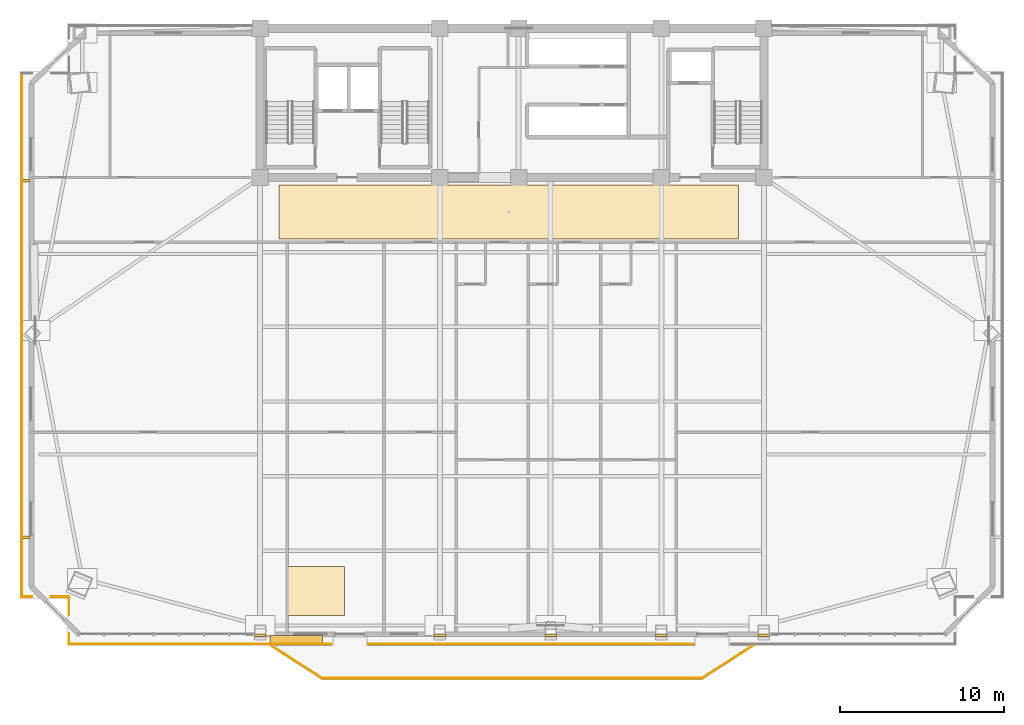
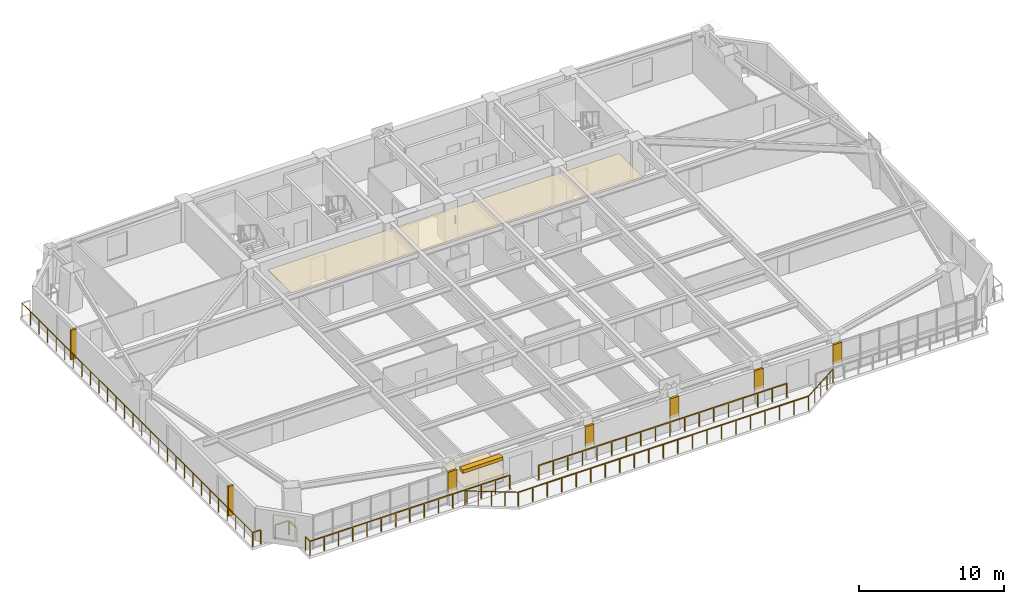
# One storey, part 12 of 15: 10 railings, 7 coverings, 3 shading devices.
"""IFC4 building model written with IfcOpenShell, lengths in metres."""

from ifc_helpers import new_model, si_unit, direction, frame, origin, origin_2d, place, context, subcontext, project, spatial, polyline, rectangle, outline, extrude, source, transform, mapped, material, layer, layer_set, type_object, element, save


model = new_model("IFC4")

# Units and contexts
model_context = context("Model", 3, precision=1e-05, world=origin(), true_north=direction((0.0, 1.0)))
body_context = subcontext(model_context, "Body", "Model", "MODEL_VIEW")
ifc_project = project(units=[si_unit("LENGTHUNIT", "METRE"), si_unit("AREAUNIT", "SQUARE_METRE"), si_unit("VOLUMEUNIT", "CUBIC_METRE"), si_unit("PLANEANGLEUNIT", "RADIAN"), si_unit("MASSUNIT", "GRAM", prefix="KILO")], contexts=[model_context])

# Site, building, storey
site_placement = place(None, origin())
site = spatial("IfcSite", under=ifc_project, at=site_placement, CompositionType="ELEMENT")
building_placement = place(site_placement, origin())
building = spatial("IfcBuilding", under=site, at=building_placement, Name="Giltprow Tower", CompositionType="ELEMENT")
storey_placement = place(building_placement, frame((0.0, 0.0, 177.199951171875)))
storey = spatial("IfcBuildingStorey", under=building, at=storey_placement, Name="L44", CompositionType="ELEMENT", Elevation=177.199951171875)

# Coverings
ifc_material_1 = material(Name="Painted gypsum board", Category="gypsum")
ifc_layer_1 = layer(ifc_material_1, 0.030029296875, Name="Painted gypsum board")
ifc_layer_set_1 = layer_set([ifc_layer_1], Name="Painted gypsum board")
covering_type_1 = type_object("IfcCoveringType", Name="COV-CLG-GYPSUM", PredefinedType="CEILING", material=ifc_layer_set_1)
covering_1_placement = place(storey_placement, frame((0.0, 0.0, 2.6201171875)))
element("IfcCovering", 1, at=covering_1_placement, inside=storey, type_object=covering_type_1, Name="L44 Hotel Corridor Gypsum Ceiling", PredefinedType="CEILING", context=body_context, shape_type="SweptSolid", body=[
    extrude(outline(polyline([(21.0, 33.699951171875), (49.0, 33.699951171875), (49.0, 37.0), (21.0, 37.0), (21.0, 33.699951171875)])), origin(), (0.0, 0.0, 1.0), 0.030029296875),
])
ifc_material_2 = material(Name="Engineered oak", Category="wood")
ifc_layer_2 = layer(ifc_material_2, 0.02490234375, Name="Engineered oak")
ifc_layer_set_2 = layer_set([ifc_layer_2], Name="Engineered oak")
covering_type_2 = type_object("IfcCoveringType", Name="COV-FLR-TIMBER", PredefinedType="FLOORING", material=ifc_layer_set_2)
covering_2_placement = place(storey_placement, origin())
element("IfcCovering", 2, at=covering_2_placement, inside=storey, type_object=covering_type_2, Name="L44 Engineered Oak Guestroom Flooring", PredefinedType="FLOORING", context=body_context, shape_type="SweptSolid", body=[
    extrude(outline(polyline([(21.5, 10.75390625), (25.0, 10.75390625), (25.0, 13.75390625), (21.5, 13.75390625), (21.5, 10.75390625)])), origin(), (0.0, 0.0, 1.0), 0.025146484375),
])
ifc_material_3 = material(Name="Anodized bronze", Category="metal")
ifc_layer_3 = layer(ifc_material_3, 0.0400390625, Name="Anodized bronze")
ifc_layer_set_3 = layer_set([ifc_layer_3], Name="Anodized bronze")
covering_type_3 = type_object("IfcCoveringType", Name="COV-SOFFIT-BRONZE", PredefinedType="CLADDING", material=ifc_layer_set_3)
covering_3_placement = place(storey_placement, frame((0.0, 0.0, 1.10009765625)))
element("IfcCovering", 3, at=covering_3_placement, inside=storey, type_object=covering_type_3, Name="L44 Setback Pier Closure Cladding S-1", PredefinedType="CLADDING", context=body_context, shape_type="SweptSolid", body=[
    extrude(outline(polyline([(19.5, 9.486083984375), (20.199951171875, 9.486083984375), (20.199951171875, 9.64599609375), (19.5, 9.64599609375), (19.5, 9.486083984375)])), origin(), (0.0, 0.0, 1.0), 1.64990234375),
])
covering_4_placement = place(storey_placement, frame((0.0, 0.0, 1.10009765625)))
element("IfcCovering", 4, at=covering_4_placement, inside=storey, type_object=covering_type_3, Name="L44 Setback Pier Closure Cladding S-2", PredefinedType="CLADDING", context=body_context, shape_type="SweptSolid", body=[
    extrude(outline(polyline([(30.449951171875, 9.486083984375), (31.14990234375, 9.486083984375), (31.14990234375, 9.64599609375), (30.449951171875, 9.64599609375), (30.449951171875, 9.486083984375)])), origin(), (0.0, 0.0, 1.0), 1.64990234375),
])
covering_5_placement = place(storey_placement, frame((0.0, 0.0, 1.10009765625)))
element("IfcCovering", 5, at=covering_5_placement, inside=storey, type_object=covering_type_3, Name="L44 Setback Pier Closure Cladding S-3", PredefinedType="CLADDING", context=body_context, shape_type="SweptSolid", body=[
    extrude(outline(polyline([(37.199951171875, 9.486083984375), (37.89990234375, 9.486083984375), (37.89990234375, 9.64599609375), (37.199951171875, 9.64599609375), (37.199951171875, 9.486083984375)])), origin(), (0.0, 0.0, 1.0), 1.64990234375),
])
covering_6_placement = place(storey_placement, frame((0.0, 0.0, 1.10009765625)))
element("IfcCovering", 6, at=covering_6_placement, inside=storey, type_object=covering_type_3, Name="L44 Setback Pier Closure Cladding S-4", PredefinedType="CLADDING", context=body_context, shape_type="SweptSolid", body=[
    extrude(outline(polyline([(43.949951171875, 9.486083984375), (44.64990234375, 9.486083984375), (44.64990234375, 9.64599609375), (43.949951171875, 9.64599609375), (43.949951171875, 9.486083984375)])), origin(), (0.0, 0.0, 1.0), 1.64990234375),
])
covering_7_placement = place(storey_placement, frame((0.0, 0.0, 1.10009765625)))
element("IfcCovering", 7, at=covering_7_placement, inside=storey, type_object=covering_type_3, Name="L44 Setback Pier Closure Cladding S-5", PredefinedType="CLADDING", context=body_context, shape_type="SweptSolid", body=[
    extrude(outline(polyline([(50.199951171875, 9.486083984375), (50.89990234375, 9.486083984375), (50.89990234375, 9.64599609375), (50.199951171875, 9.64599609375), (50.199951171875, 9.486083984375)])), origin(), (0.0, 0.0, 1.0), 1.64990234375),
])

# Railings
railing_type = type_object("IfcRailingType", Name="RAIL-BALC-GUARD-1200", PredefinedType="BALUSTRADE", material=ifc_material_3)
railing_1_placement = place(storey_placement, frame((20.52001953125, 8.926025390625, 0.0)))
element("IfcRailing", 8, at=railing_1_placement, inside=storey, type_object=railing_type, Name="L44 Waterfront Balcony Balustrade Seg 1", PredefinedType="BALUSTRADE", context=body_context, shape_type="SweptSolid", body=[
    extrude(rectangle(XDim=0.048095703125, YDim=0.048095703125, at=origin_2d()), frame((0.0, 0.0, 1.17578125), z_axis=(0.84277487735, -0.538266203757, 0.0), x_axis=(0.538266203757, 0.84277487735, 0.0)), (0.0, 0.0, 1.0), 3.678466796875),
    extrude(rectangle(XDim=0.0419921875, YDim=0.0419921875, at=origin_2d()), origin(), (0.0, 0.0, 1.0), 1.15185546875),
    extrude(rectangle(XDim=0.0419921875, YDim=0.0419921875, at=origin_2d()), frame((0.77490234375, -0.4951171875, 0.0)), (0.0, 0.0, 1.0), 1.15185546875),
    extrude(rectangle(XDim=0.0419921875, YDim=0.0419921875, at=origin_2d()), frame((1.550048828125, -0.989990234375, 0.0)), (0.0, 0.0, 1.0), 1.15185546875),
    extrude(rectangle(XDim=0.0419921875, YDim=0.0419921875, at=origin_2d()), frame((2.3251953125, -1.48486328125, 0.0)), (0.0, 0.0, 1.0), 1.15185546875),
    extrude(rectangle(XDim=0.0419921875, YDim=0.0419921875, at=origin_2d()), frame((3.10009765625, -1.97998046875, 0.0)), (0.0, 0.0, 1.0), 1.15185546875),
])
railing_2_placement = place(storey_placement, frame((23.6201171875, 6.946044921875, 0.0)))
element("IfcRailing", 9, at=railing_2_placement, inside=storey, type_object=railing_type, Name="L44 Waterfront Balcony Balustrade Seg 2", PredefinedType="BALUSTRADE", context=body_context, shape_type="SweptSolid", body=[
    extrude(rectangle(XDim=0.048095703125, YDim=0.048095703125, at=origin_2d()), frame((0.0, 0.0, 1.17578125), z_axis=(1.0, 0.0, 0.0), x_axis=(0.0, 1.0, 0.0)), (0.0, 0.0, 1.0), 23.159912109375),
    extrude(rectangle(XDim=0.0419921875, YDim=0.0419921875, at=origin_2d()), origin(), (0.0, 0.0, 1.0), 1.15185546875),
    extrude(rectangle(XDim=0.0419921875, YDim=0.0419921875, at=origin_2d()), frame((1.157958984375, 0.0, 0.0)), (0.0, 0.0, 1.0), 1.15185546875),
    extrude(rectangle(XDim=0.0419921875, YDim=0.0419921875, at=origin_2d()), frame((2.31591796875, 0.0, 0.0)), (0.0, 0.0, 1.0), 1.15185546875),
    extrude(rectangle(XDim=0.0419921875, YDim=0.0419921875, at=origin_2d()), frame((3.473876953125, 0.0, 0.0)), (0.0, 0.0, 1.0), 1.15185546875),
    extrude(rectangle(XDim=0.0419921875, YDim=0.0419921875, at=origin_2d()), frame((4.632080078125, 0.0, 0.0)), (0.0, 0.0, 1.0), 1.15185546875),
    extrude(rectangle(XDim=0.0419921875, YDim=0.0419921875, at=origin_2d()), frame((5.7900390625, 0.0, 0.0)), (0.0, 0.0, 1.0), 1.15185546875),
    extrude(rectangle(XDim=0.0419921875, YDim=0.0419921875, at=origin_2d()), frame((6.947998046875, 0.0, 0.0)), (0.0, 0.0, 1.0), 1.15185546875),
    extrude(rectangle(XDim=0.0419921875, YDim=0.0419921875, at=origin_2d()), frame((8.10595703125, 0.0, 0.0)), (0.0, 0.0, 1.0), 1.15185546875),
    extrude(rectangle(XDim=0.0419921875, YDim=0.0419921875, at=origin_2d()), frame((9.263916015625, 0.0, 0.0)), (0.0, 0.0, 1.0), 1.15185546875),
    extrude(rectangle(XDim=0.0419921875, YDim=0.0419921875, at=origin_2d()), frame((10.421875, 0.0, 0.0)), (0.0, 0.0, 1.0), 1.15185546875),
    extrude(rectangle(XDim=0.0419921875, YDim=0.0419921875, at=origin_2d()), frame((11.580078125, 0.0, 0.0)), (0.0, 0.0, 1.0), 1.15185546875),
    extrude(rectangle(XDim=0.0419921875, YDim=0.0419921875, at=origin_2d()), frame((12.738037109375, 0.0, 0.0)), (0.0, 0.0, 1.0), 1.15185546875),
    extrude(rectangle(XDim=0.0419921875, YDim=0.0419921875, at=origin_2d()), frame((13.89599609375, 0.0, 0.0)), (0.0, 0.0, 1.0), 1.15185546875),
    extrude(rectangle(XDim=0.0419921875, YDim=0.0419921875, at=origin_2d()), frame((15.053955078125, 0.0, 0.0)), (0.0, 0.0, 1.0), 1.15185546875),
    extrude(rectangle(XDim=0.0419921875, YDim=0.0419921875, at=origin_2d()), frame((16.2119140625, 0.0, 0.0)), (0.0, 0.0, 1.0), 1.15185546875),
    extrude(rectangle(XDim=0.0419921875, YDim=0.0419921875, at=origin_2d()), frame((17.369873046875, 0.0, 0.0)), (0.0, 0.0, 1.0), 1.15185546875),
    extrude(rectangle(XDim=0.0419921875, YDim=0.0419921875, at=origin_2d()), frame((18.52783203125, 0.0, 0.0)), (0.0, 0.0, 1.0), 1.15185546875),
    extrude(rectangle(XDim=0.0419921875, YDim=0.0419921875, at=origin_2d()), frame((19.68603515625, 0.0, 0.0)), (0.0, 0.0, 1.0), 1.15185546875),
    extrude(rectangle(XDim=0.0419921875, YDim=0.0419921875, at=origin_2d()), frame((20.843994140625, 0.0, 0.0)), (0.0, 0.0, 1.0), 1.15185546875),
    extrude(rectangle(XDim=0.0419921875, YDim=0.0419921875, at=origin_2d()), frame((22.001953125, 0.0, 0.0)), (0.0, 0.0, 1.0), 1.15185546875),
    extrude(rectangle(XDim=0.0419921875, YDim=0.0419921875, at=origin_2d()), frame((23.159912109375, 0.0, 0.0)), (0.0, 0.0, 1.0), 1.15185546875),
])
railing_3_placement = place(storey_placement, frame((46.780029296875, 6.946044921875, 0.0)))
element("IfcRailing", 10, at=railing_3_placement, inside=storey, type_object=railing_type, Name="L44 Waterfront Balcony Balustrade Seg 3", PredefinedType="BALUSTRADE", context=body_context, shape_type="SweptSolid", body=[
    extrude(rectangle(XDim=0.048095703125, YDim=0.048095703125, at=origin_2d()), frame((0.0, 0.0, 1.17578125), z_axis=(0.842755646126, 0.538296313309, 0.0), x_axis=(-0.538296313309, 0.842755646126, 0.0)), (0.0, 0.0, 1.0), 3.67822265625),
    extrude(rectangle(XDim=0.0419921875, YDim=0.0419921875, at=origin_2d()), origin(), (0.0, 0.0, 1.0), 1.15185546875),
    extrude(rectangle(XDim=0.0419921875, YDim=0.0419921875, at=origin_2d()), frame((0.77490234375, 0.4951171875, 0.0)), (0.0, 0.0, 1.0), 1.15185546875),
    extrude(rectangle(XDim=0.0419921875, YDim=0.0419921875, at=origin_2d()), frame((1.5498046875, 0.989990234375, 0.0)), (0.0, 0.0, 1.0), 1.15185546875),
    extrude(rectangle(XDim=0.0419921875, YDim=0.0419921875, at=origin_2d()), frame((2.324951171875, 1.48486328125, 0.0)), (0.0, 0.0, 1.0), 1.15185546875),
    extrude(rectangle(XDim=0.0419921875, YDim=0.0419921875, at=origin_2d()), frame((3.099853515625, 1.97998046875, 0.0)), (0.0, 0.0, 1.0), 1.15185546875),
])
railing_4_placement = place(storey_placement, frame((8.2060546875, 9.02587890625, 0.0)))
element("IfcRailing", 11, at=railing_4_placement, inside=storey, type_object=railing_type, Name="L44 Corner Apron Edge Balustrade 1", PredefinedType="BALUSTRADE", context=body_context, shape_type="SweptSolid", body=[
    extrude(rectangle(XDim=0.048095703125, YDim=0.048095703125, at=origin_2d()), frame((0.0, 0.0, 1.17578125), z_axis=(0.0, 1.0, 0.0), x_axis=(-1.0, 0.0, 0.0)), (0.0, 0.0, 1.0), 0.6201171875),
    extrude(rectangle(XDim=0.0419921875, YDim=0.0419921875, at=origin_2d()), origin(), (0.0, 0.0, 1.0), 1.15185546875),
    extrude(rectangle(XDim=0.0419921875, YDim=0.0419921875, at=origin_2d()), frame((0.0, 0.6201171875, 0.0)), (0.0, 0.0, 1.0), 1.15185546875),
])
railing_5_placement = place(storey_placement, frame((8.2060546875, 10.805908203125, 0.0)))
element("IfcRailing", 12, at=railing_5_placement, inside=storey, type_object=railing_type, Name="L44 Corner Apron Edge Balustrade 2", PredefinedType="BALUSTRADE", context=body_context, shape_type="SweptSolid", body=[
    extrude(rectangle(XDim=0.048095703125, YDim=0.048095703125, at=origin_2d()), frame((0.0, 0.0, 1.17578125), z_axis=(0.0, 1.0, 0.0), x_axis=(-1.0, 0.0, 0.0)), (0.0, 0.0, 1.0), 1.072021484375),
    extrude(rectangle(XDim=0.0419921875, YDim=0.0419921875, at=origin_2d()), origin(), (0.0, 0.0, 1.0), 1.15185546875),
    extrude(rectangle(XDim=0.0419921875, YDim=0.0419921875, at=origin_2d()), frame((0.0, 1.072021484375, 0.0)), (0.0, 0.0, 1.0), 1.15185546875),
])
railing_6_placement = place(storey_placement, frame((8.1708984375, 11.9130859375, 0.0)))
element("IfcRailing", 13, at=railing_6_placement, inside=storey, type_object=railing_type, Name="L44 Corner Apron Edge Balustrade 3", PredefinedType="BALUSTRADE", context=body_context, shape_type="SweptSolid", body=[
    extrude(rectangle(XDim=0.048095703125, YDim=0.048095703125, at=origin_2d()), frame((0.0, 0.0, 1.17578125), z_axis=(-1.0, 0.0, 0.0), x_axis=(0.0, -1.0, 0.0)), (0.0, 0.0, 1.0), 1.07177734375),
    extrude(rectangle(XDim=0.0419921875, YDim=0.0419921875, at=origin_2d()), origin(), (0.0, 0.0, 1.0), 1.15185546875),
    extrude(rectangle(XDim=0.0419921875, YDim=0.0419921875, at=origin_2d()), frame((-1.07177734375, 0.0, 0.0)), (0.0, 0.0, 1.0), 1.15185546875),
])
railing_7_placement = place(storey_placement, frame((5.93896484375, 11.9130859375, 0.0)))
element("IfcRailing", 14, at=railing_7_placement, inside=storey, type_object=railing_type, Name="L44 Corner Apron Edge Balustrade 4", PredefinedType="BALUSTRADE", context=body_context, shape_type="SweptSolid", body=[
    extrude(rectangle(XDim=0.048095703125, YDim=0.048095703125, at=origin_2d()), frame((0.0, 0.0, 1.17578125), z_axis=(-1.0, 0.0, 0.0), x_axis=(0.0, -1.0, 0.0)), (0.0, 0.0, 1.0), 0.619873046875),
    extrude(rectangle(XDim=0.0419921875, YDim=0.0419921875, at=origin_2d()), origin(), (0.0, 0.0, 1.0), 1.15185546875),
    extrude(rectangle(XDim=0.0419921875, YDim=0.0419921875, at=origin_2d()), frame((-0.619873046875, 0.0, 0.0)), (0.0, 0.0, 1.0), 1.15185546875),
])
railing_8_placement = place(storey_placement, frame((5.319091796875, 11.9130859375, 0.0)))
element("IfcRailing", 15, at=railing_8_placement, inside=storey, type_object=railing_type, Name="L44 Corner Apron Edge Balustrade 5", PredefinedType="BALUSTRADE", context=body_context, shape_type="SweptSolid", body=[
    extrude(rectangle(XDim=0.048095703125, YDim=0.048095703125, at=origin_2d()), frame((0.0, 0.0, 1.17578125), z_axis=(0.0, 1.0, 0.0), x_axis=(-1.0, 0.0, 0.0)), (0.0, 0.0, 1.0), 31.89990234375),
    extrude(rectangle(XDim=0.0419921875, YDim=0.0419921875, at=origin_2d()), origin(), (0.0, 0.0, 1.0), 1.15185546875),
    extrude(rectangle(XDim=0.0419921875, YDim=0.0419921875, at=origin_2d()), frame((0.0, 1.181396484375, 0.0)), (0.0, 0.0, 1.0), 1.15185546875),
    extrude(rectangle(XDim=0.0419921875, YDim=0.0419921875, at=origin_2d()), frame((0.0, 2.363037109375, 0.0)), (0.0, 0.0, 1.0), 1.15185546875),
    extrude(rectangle(XDim=0.0419921875, YDim=0.0419921875, at=origin_2d()), frame((0.0, 3.54443359375, 0.0)), (0.0, 0.0, 1.0), 1.15185546875),
    extrude(rectangle(XDim=0.0419921875, YDim=0.0419921875, at=origin_2d()), frame((0.0, 4.725830078125, 0.0)), (0.0, 0.0, 1.0), 1.15185546875),
    extrude(rectangle(XDim=0.0419921875, YDim=0.0419921875, at=origin_2d()), frame((0.0, 5.907470703125, 0.0)), (0.0, 0.0, 1.0), 1.15185546875),
    extrude(rectangle(XDim=0.0419921875, YDim=0.0419921875, at=origin_2d()), frame((0.0, 7.0888671875, 0.0)), (0.0, 0.0, 1.0), 1.15185546875),
    extrude(rectangle(XDim=0.0419921875, YDim=0.0419921875, at=origin_2d()), frame((0.0, 8.270263671875, 0.0)), (0.0, 0.0, 1.0), 1.15185546875),
    extrude(rectangle(XDim=0.0419921875, YDim=0.0419921875, at=origin_2d()), frame((0.0, 9.451904296875, 0.0)), (0.0, 0.0, 1.0), 1.15185546875),
    extrude(rectangle(XDim=0.0419921875, YDim=0.0419921875, at=origin_2d()), frame((0.0, 10.63330078125, 0.0)), (0.0, 0.0, 1.0), 1.15185546875),
    extrude(rectangle(XDim=0.0419921875, YDim=0.0419921875, at=origin_2d()), frame((0.0, 11.814697265625, 0.0)), (0.0, 0.0, 1.0), 1.15185546875),
    extrude(rectangle(XDim=0.0419921875, YDim=0.0419921875, at=origin_2d()), frame((0.0, 12.996337890625, 0.0)), (0.0, 0.0, 1.0), 1.15185546875),
    extrude(rectangle(XDim=0.0419921875, YDim=0.0419921875, at=origin_2d()), frame((0.0, 14.177734375, 0.0)), (0.0, 0.0, 1.0), 1.15185546875),
    extrude(rectangle(XDim=0.0419921875, YDim=0.0419921875, at=origin_2d()), frame((0.0, 15.359130859375, 0.0)), (0.0, 0.0, 1.0), 1.15185546875),
    extrude(rectangle(XDim=0.0419921875, YDim=0.0419921875, at=origin_2d()), frame((0.0, 16.540771484375, 0.0)), (0.0, 0.0, 1.0), 1.15185546875),
    extrude(rectangle(XDim=0.0419921875, YDim=0.0419921875, at=origin_2d()), frame((0.0, 17.72216796875, 0.0)), (0.0, 0.0, 1.0), 1.15185546875),
    extrude(rectangle(XDim=0.0419921875, YDim=0.0419921875, at=origin_2d()), frame((0.0, 18.903564453125, 0.0)), (0.0, 0.0, 1.0), 1.15185546875),
    extrude(rectangle(XDim=0.0419921875, YDim=0.0419921875, at=origin_2d()), frame((0.0, 20.085205078125, 0.0)), (0.0, 0.0, 1.0), 1.15185546875),
    extrude(rectangle(XDim=0.0419921875, YDim=0.0419921875, at=origin_2d()), frame((0.0, 21.2666015625, 0.0)), (0.0, 0.0, 1.0), 1.15185546875),
    extrude(rectangle(XDim=0.0419921875, YDim=0.0419921875, at=origin_2d()), frame((0.0, 22.447998046875, 0.0)), (0.0, 0.0, 1.0), 1.15185546875),
    extrude(rectangle(XDim=0.0419921875, YDim=0.0419921875, at=origin_2d()), frame((0.0, 23.629638671875, 0.0)), (0.0, 0.0, 1.0), 1.15185546875),
    extrude(rectangle(XDim=0.0419921875, YDim=0.0419921875, at=origin_2d()), frame((0.0, 24.81103515625, 0.0)), (0.0, 0.0, 1.0), 1.15185546875),
    extrude(rectangle(XDim=0.0419921875, YDim=0.0419921875, at=origin_2d()), frame((0.0, 25.992431640625, 0.0)), (0.0, 0.0, 1.0), 1.15185546875),
    extrude(rectangle(XDim=0.0419921875, YDim=0.0419921875, at=origin_2d()), frame((0.0, 27.174072265625, 0.0)), (0.0, 0.0, 1.0), 1.15185546875),
    extrude(rectangle(XDim=0.0419921875, YDim=0.0419921875, at=origin_2d()), frame((0.0, 28.35546875, 0.0)), (0.0, 0.0, 1.0), 1.15185546875),
    extrude(rectangle(XDim=0.0419921875, YDim=0.0419921875, at=origin_2d()), frame((0.0, 29.536865234375, 0.0)), (0.0, 0.0, 1.0), 1.15185546875),
    extrude(rectangle(XDim=0.0419921875, YDim=0.0419921875, at=origin_2d()), frame((0.0, 30.718505859375, 0.0)), (0.0, 0.0, 1.0), 1.15185546875),
    extrude(rectangle(XDim=0.0419921875, YDim=0.0419921875, at=origin_2d()), frame((0.0, 31.89990234375, 0.0)), (0.0, 0.0, 1.0), 1.15185546875),
])
railing_9_placement = place(storey_placement, frame((46.25, 9.02587890625, 0.0)))
element("IfcRailing", 16, at=railing_9_placement, inside=storey, type_object=railing_type, Name="L44 Corner Apron Edge Balustrade 24", PredefinedType="BALUSTRADE", context=body_context, shape_type="SweptSolid", body=[
    extrude(rectangle(XDim=0.048095703125, YDim=0.048095703125, at=origin_2d()), frame((0.0, 0.0, 1.17578125), z_axis=(-1.0, 0.0, 0.0), x_axis=(0.0, -1.0, 0.0)), (0.0, 0.0, 1.0), 19.800048828125),
    extrude(rectangle(XDim=0.0419921875, YDim=0.0419921875, at=origin_2d()), origin(), (0.0, 0.0, 1.0), 1.15185546875),
    extrude(rectangle(XDim=0.0419921875, YDim=0.0419921875, at=origin_2d()), frame((-1.164794921875, 0.0, 0.0)), (0.0, 0.0, 1.0), 1.15185546875),
    extrude(rectangle(XDim=0.0419921875, YDim=0.0419921875, at=origin_2d()), frame((-2.329345703125, 0.0, 0.0)), (0.0, 0.0, 1.0), 1.15185546875),
    extrude(rectangle(XDim=0.0419921875, YDim=0.0419921875, at=origin_2d()), frame((-3.494140625, 0.0, 0.0)), (0.0, 0.0, 1.0), 1.15185546875),
    extrude(rectangle(XDim=0.0419921875, YDim=0.0419921875, at=origin_2d()), frame((-4.658935546875, 0.0, 0.0)), (0.0, 0.0, 1.0), 1.15185546875),
    extrude(rectangle(XDim=0.0419921875, YDim=0.0419921875, at=origin_2d()), frame((-5.823486328125, 0.0, 0.0)), (0.0, 0.0, 1.0), 1.15185546875),
    extrude(rectangle(XDim=0.0419921875, YDim=0.0419921875, at=origin_2d()), frame((-6.98828125, 0.0, 0.0)), (0.0, 0.0, 1.0), 1.15185546875),
    extrude(rectangle(XDim=0.0419921875, YDim=0.0419921875, at=origin_2d()), frame((-8.153076171875, 0.0, 0.0)), (0.0, 0.0, 1.0), 1.15185546875),
    extrude(rectangle(XDim=0.0419921875, YDim=0.0419921875, at=origin_2d()), frame((-9.317626953125, 0.0, 0.0)), (0.0, 0.0, 1.0), 1.15185546875),
    extrude(rectangle(XDim=0.0419921875, YDim=0.0419921875, at=origin_2d()), frame((-10.482421875, 0.0, 0.0)), (0.0, 0.0, 1.0), 1.15185546875),
    extrude(rectangle(XDim=0.0419921875, YDim=0.0419921875, at=origin_2d()), frame((-11.64697265625, 0.0, 0.0)), (0.0, 0.0, 1.0), 1.15185546875),
    extrude(rectangle(XDim=0.0419921875, YDim=0.0419921875, at=origin_2d()), frame((-12.811767578125, 0.0, 0.0)), (0.0, 0.0, 1.0), 1.15185546875),
    extrude(rectangle(XDim=0.0419921875, YDim=0.0419921875, at=origin_2d()), frame((-13.9765625, 0.0, 0.0)), (0.0, 0.0, 1.0), 1.15185546875),
    extrude(rectangle(XDim=0.0419921875, YDim=0.0419921875, at=origin_2d()), frame((-15.14111328125, 0.0, 0.0)), (0.0, 0.0, 1.0), 1.15185546875),
    extrude(rectangle(XDim=0.0419921875, YDim=0.0419921875, at=origin_2d()), frame((-16.305908203125, 0.0, 0.0)), (0.0, 0.0, 1.0), 1.15185546875),
    extrude(rectangle(XDim=0.0419921875, YDim=0.0419921875, at=origin_2d()), frame((-17.470703125, 0.0, 0.0)), (0.0, 0.0, 1.0), 1.15185546875),
    extrude(rectangle(XDim=0.0419921875, YDim=0.0419921875, at=origin_2d()), frame((-18.63525390625, 0.0, 0.0)), (0.0, 0.0, 1.0), 1.15185546875),
    extrude(rectangle(XDim=0.0419921875, YDim=0.0419921875, at=origin_2d()), frame((-19.800048828125, 0.0, 0.0)), (0.0, 0.0, 1.0), 1.15185546875),
])
railing_10_placement = place(storey_placement, frame((24.14990234375, 9.02587890625, 0.0)))
element("IfcRailing", 17, at=railing_10_placement, inside=storey, type_object=railing_type, Name="L44 Corner Apron Edge Balustrade 25", PredefinedType="BALUSTRADE", context=body_context, shape_type="SweptSolid", body=[
    extrude(rectangle(XDim=0.048095703125, YDim=0.048095703125, at=origin_2d()), frame((0.0, 0.0, 1.17578125), z_axis=(-1.0, 0.0, 0.0), x_axis=(0.0, -1.0, 0.0)), (0.0, 0.0, 1.0), 15.94384765625),
    extrude(rectangle(XDim=0.0419921875, YDim=0.0419921875, at=origin_2d()), origin(), (0.0, 0.0, 1.0), 1.15185546875),
    extrude(rectangle(XDim=0.0419921875, YDim=0.0419921875, at=origin_2d()), frame((-1.138916015625, 0.0, 0.0)), (0.0, 0.0, 1.0), 1.15185546875),
    extrude(rectangle(XDim=0.0419921875, YDim=0.0419921875, at=origin_2d()), frame((-2.277587890625, 0.0, 0.0)), (0.0, 0.0, 1.0), 1.15185546875),
    extrude(rectangle(XDim=0.0419921875, YDim=0.0419921875, at=origin_2d()), frame((-3.41650390625, 0.0, 0.0)), (0.0, 0.0, 1.0), 1.15185546875),
    extrude(rectangle(XDim=0.0419921875, YDim=0.0419921875, at=origin_2d()), frame((-4.555419921875, 0.0, 0.0)), (0.0, 0.0, 1.0), 1.15185546875),
    extrude(rectangle(XDim=0.0419921875, YDim=0.0419921875, at=origin_2d()), frame((-5.6943359375, 0.0, 0.0)), (0.0, 0.0, 1.0), 1.15185546875),
    extrude(rectangle(XDim=0.0419921875, YDim=0.0419921875, at=origin_2d()), frame((-6.8330078125, 0.0, 0.0)), (0.0, 0.0, 1.0), 1.15185546875),
    extrude(rectangle(XDim=0.0419921875, YDim=0.0419921875, at=origin_2d()), frame((-7.971923828125, 0.0, 0.0)), (0.0, 0.0, 1.0), 1.15185546875),
    extrude(rectangle(XDim=0.0419921875, YDim=0.0419921875, at=origin_2d()), frame((-9.11083984375, 0.0, 0.0)), (0.0, 0.0, 1.0), 1.15185546875),
    extrude(rectangle(XDim=0.0419921875, YDim=0.0419921875, at=origin_2d()), frame((-10.24951171875, 0.0, 0.0)), (0.0, 0.0, 1.0), 1.15185546875),
    extrude(rectangle(XDim=0.0419921875, YDim=0.0419921875, at=origin_2d()), frame((-11.388427734375, 0.0, 0.0)), (0.0, 0.0, 1.0), 1.15185546875),
    extrude(rectangle(XDim=0.0419921875, YDim=0.0419921875, at=origin_2d()), frame((-12.52734375, 0.0, 0.0)), (0.0, 0.0, 1.0), 1.15185546875),
    extrude(rectangle(XDim=0.0419921875, YDim=0.0419921875, at=origin_2d()), frame((-13.666259765625, 0.0, 0.0)), (0.0, 0.0, 1.0), 1.15185546875),
    extrude(rectangle(XDim=0.0419921875, YDim=0.0419921875, at=origin_2d()), frame((-14.804931640625, 0.0, 0.0)), (0.0, 0.0, 1.0), 1.15185546875),
    extrude(rectangle(XDim=0.0419921875, YDim=0.0419921875, at=origin_2d()), frame((-15.94384765625, 0.0, 0.0)), (0.0, 0.0, 1.0), 1.15185546875),
])

# Shading devices
shading_device_type_1 = type_object("IfcShadingDeviceType", Name="SHD-FIN-420", PredefinedType="USERDEFINED", material=ifc_material_3)
shared_shape_1 = source(origin(), body_context, "Body", "SweptSolid", [
    extrude(rectangle(XDim=0.419921875, YDim=0.159912109375, at=origin_2d()), origin(), (0.0, 0.0, 1.0), 2.5),
])
for number, where, z_axis, x_axis, name in (
    (18, (5.618896484375, 15.532958984375, 0.35009765625), (0.0, 0.0, 1.0), (1.0, 0.0, 0.0), "L44 W Bronze Vertical Fin 1-1"),
    (19, (5.618896484375, 37.264892578125, 0.35009765625), (0.0, 0.0, 1.0), (1.0, 0.0, 0.0), "L44 W Bronze Vertical Fin 2-1"),
):
    element("IfcShadingDevice", number, at=place(storey_placement, frame(where, z_axis=z_axis, x_axis=x_axis)), inside=storey, type_object=shading_device_type_1, Name=name, ObjectType="FIN", PredefinedType="USERDEFINED", context=body_context, shape_type="MappedRepresentation", body=[
        mapped(shared_shape_1, transform((0.0, 0.0, 0.0), x_axis=(1.0, 0.0, 0.0), y_axis=(0.0, 1.0, 0.0), z_axis=(0.0, 0.0, 1.0), scale=1.0)),
    ])
shading_device_type_2 = type_object("IfcShadingDeviceType", Name="SHD-LOUVRE-320", PredefinedType="JALOUSIE", material=ifc_material_3)
shared_shape_2 = source(origin(), body_context, "Body", "SweptSolid", [
    extrude(rectangle(XDim=3.199951171875, YDim=0.449951171875, at=origin_2d()), origin(), (0.0, 0.0, 1.0), 0.280029296875),
])
shading_device_placement = place(storey_placement, frame((22.050048828125, 9.325927734375, 2.56005859375), z_axis=(0.0, 0.0, 1.0), x_axis=(1.0, 0.0, 0.0)))
element("IfcShadingDevice", 20, at=shading_device_placement, inside=storey, type_object=shading_device_type_2, Name="L44 Bronze Sunshade Louvre S-2", PredefinedType="JALOUSIE", context=body_context, shape_type="MappedRepresentation", body=[
    mapped(shared_shape_2, transform((0.0, 0.0, 0.0), x_axis=(1.0, 0.0, 0.0), y_axis=(0.0, 1.0, 0.0), z_axis=(0.0, 0.0, 1.0), scale=1.0)),
])

save(model, "model.ifc")
